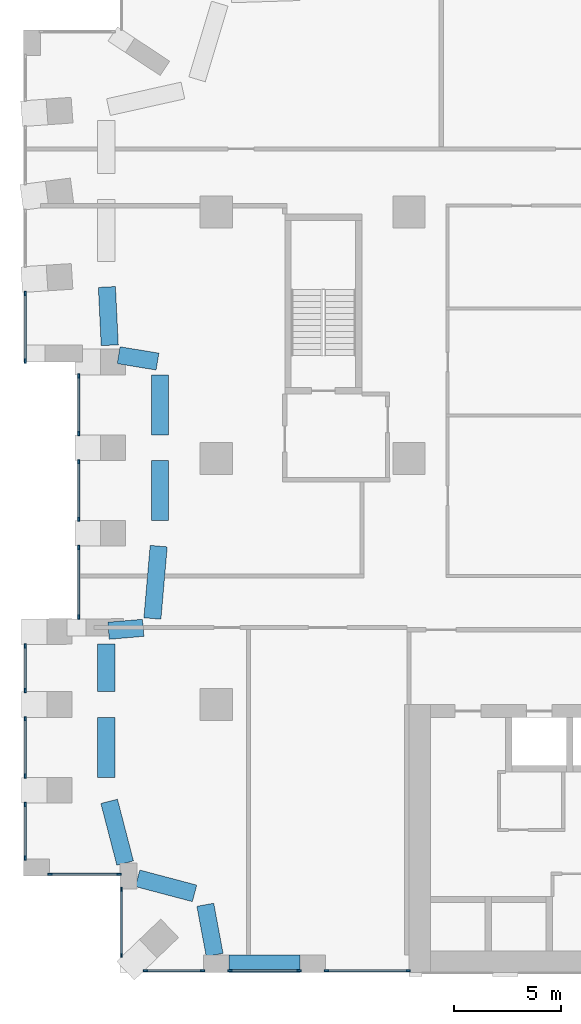
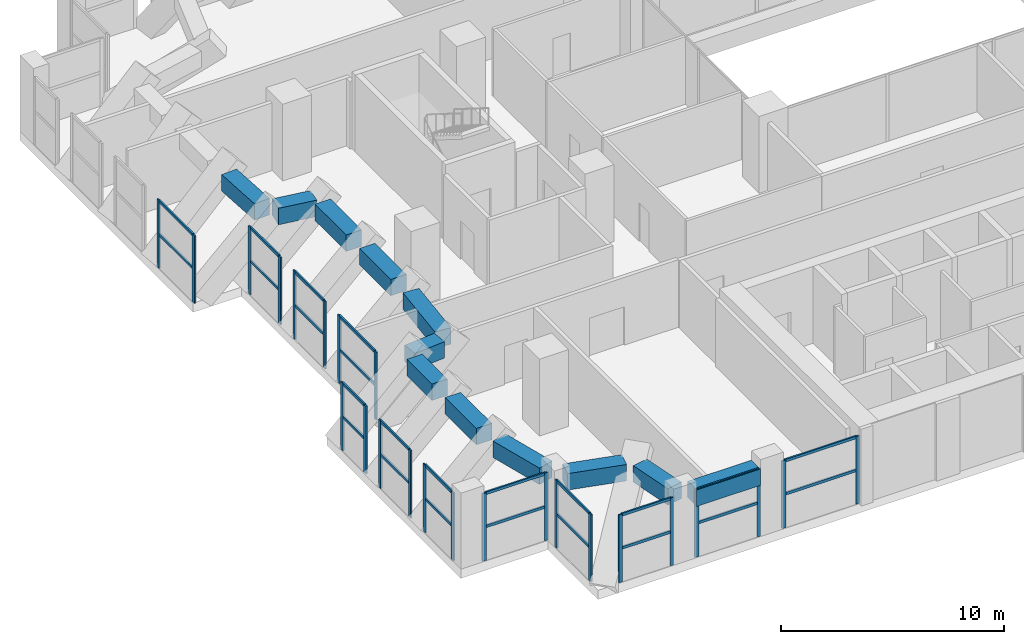
# One storey, part 2 of 20: 48 members, 12 beams, 12 elements without a shape of their own.
"""IFC4 building model written with IfcOpenShell, lengths in metres."""

from ifc_helpers import new_model, si_unit, direction, frame, origin, origin_2d, place, context, subcontext, project, spatial, rectangle, extrude, material, layer, layer_set, material_profile, profile_set, type_object, element, aggregate, save


model = new_model("IFC4")

# Units and contexts
model_context = context("Model", 3, precision=1e-05, world=origin(), true_north=direction((0.0, 1.0)))
body_context = subcontext(model_context, "Body", "Model", "MODEL_VIEW")
ifc_project = project(units=[si_unit("LENGTHUNIT", "METRE"), si_unit("AREAUNIT", "SQUARE_METRE"), si_unit("VOLUMEUNIT", "CUBIC_METRE"), si_unit("PLANEANGLEUNIT", "RADIAN"), si_unit("MASSUNIT", "GRAM", prefix="KILO")], contexts=[model_context])

# Site, building, storey
site_placement = place(None, origin())
site = spatial("IfcSite", under=ifc_project, at=site_placement, CompositionType="ELEMENT")
building_placement = place(site_placement, origin())
building = spatial("IfcBuilding", under=site, at=building_placement, Name="Brigalow Station Residences", CompositionType="ELEMENT")
storey_placement = place(building_placement, frame((0.0, 0.0, 73.050048828125)))
storey = spatial("IfcBuildingStorey", under=building, at=storey_placement, Name="L21", CompositionType="ELEMENT", Elevation=73.050048828125)

# Beams
ifc_material_1 = material(Name="Concrete C65", Category="concrete")
ifc_material_profile_1 = material_profile(ifc_material_1, rectangle(XDim=0.800048828125, YDim=0.89990234375, at=origin_2d()), Name="RC800x900")
ifc_profile_set_1 = profile_set([ifc_material_profile_1], Name="Concrete C65")
beam_type = type_object("IfcBeamType", Name="KINK TIE BEAM 800x900 C65", PredefinedType="BEAM", material=ifc_profile_set_1)
beam_1_placement = place(storey_placement, frame((9.60009765625, 0.39990234375, 3.25), z_axis=(1.0, 0.0, 0.0), x_axis=(0.0, 1.0, 0.0)))
element("IfcBeam", 1, at=beam_1_placement, inside=storey, type_object=beam_type, Name="KINK TIE BEAM 1 L21", PredefinedType="BEAM", context=body_context, shape_type="SweptSolid", body=[
    extrude(rectangle(XDim=0.800048828125, YDim=0.89990234375, at=origin_2d()), origin(), (0.0, 0.0, 1.0), 3.2998046875),
])
beam_2_placement = place(storey_placement, frame((3.891845703125, 32.001708984375, 3.25), z_axis=(0.048484857737, -0.9988239177, 0.0), x_axis=(0.9988239177, 0.048484857737, 0.0)))
element("IfcBeam", 2, at=beam_2_placement, inside=storey, type_object=beam_type, Name="KINK TIE BEAM 38 L21", PredefinedType="BEAM", context=body_context, shape_type="SweptSolid", body=[
    extrude(rectangle(XDim=0.800048828125, YDim=0.89990234375, at=origin_2d()), origin(), (0.0, 0.0, 1.0), 2.72412109375),
])
beam_3_placement = place(storey_placement, frame((4.4404296875, 28.8154296875, 3.25), z_axis=(0.986800184125, -0.161942571951, 0.0), x_axis=(0.161942571951, 0.986800184125, 0.0)))
element("IfcBeam", 3, at=beam_3_placement, inside=storey, type_object=beam_type, Name="KINK TIE BEAM 39 L21", PredefinedType="BEAM", context=body_context, shape_type="SweptSolid", body=[
    extrude(rectangle(XDim=0.800048828125, YDim=0.89990234375, at=origin_2d()), origin(), (0.0, 0.0, 1.0), 1.837646484375),
])
for number, where, z_axis, x_axis, name in (
    (4, (6.36279296875, 27.89990234375, 3.25), (0.0, -1.0, 0.0), (1.0, 0.0, 0.0), "KINK TIE BEAM 40 L21"),
    (5, (6.36279296875, 23.89990234375, 3.25), (0.0, -1.0, 0.0), (1.0, 0.0, 0.0), "KINK TIE BEAM 41 L21"),
):
    element("IfcBeam", number, at=place(storey_placement, frame(where, z_axis=z_axis, x_axis=x_axis)), inside=storey, type_object=beam_type, Name=name, PredefinedType="BEAM", context=body_context, shape_type="SweptSolid", body=[
        extrude(rectangle(XDim=0.800048828125, YDim=0.89990234375, at=origin_2d()), origin(), (0.0, 0.0, 1.0), 2.7998046875),
    ])
beam_4_placement = place(storey_placement, frame((6.310791015625, 19.89990234375, 3.25), z_axis=(-0.086629616365, -0.996240588196, 0.0), x_axis=(0.996240588196, -0.086629616365, 0.0)))
element("IfcBeam", 6, at=beam_4_placement, inside=storey, type_object=beam_type, Name="KINK TIE BEAM 42 L21", PredefinedType="BEAM", context=body_context, shape_type="SweptSolid", body=[
    extrude(rectangle(XDim=0.800048828125, YDim=0.89990234375, at=origin_2d()), origin(), (0.0, 0.0, 1.0), 3.39306640625),
])
beam_5_placement = place(storey_placement, frame((5.585205078125, 16.08544921875, 3.25), z_axis=(-0.996383121126, -0.084974560519, 0.0), x_axis=(0.084974560519, -0.996383121126, 0.0)))
element("IfcBeam", 7, at=beam_5_placement, inside=storey, type_object=beam_type, Name="KINK TIE BEAM 43 L21", PredefinedType="BEAM", context=body_context, shape_type="SweptSolid", body=[
    extrude(rectangle(XDim=0.800048828125, YDim=0.89990234375, at=origin_2d()), origin(), (0.0, 0.0, 1.0), 1.623291015625),
])
beam_6_placement = place(storey_placement, frame((3.86279296875, 15.338623046875, 3.25), z_axis=(0.0, -1.0, 0.0), x_axis=(1.0, 0.0, 0.0)))
element("IfcBeam", 8, at=beam_6_placement, inside=storey, type_object=beam_type, Name="KINK TIE BEAM 44 L21", PredefinedType="BEAM", context=body_context, shape_type="SweptSolid", body=[
    extrude(rectangle(XDim=0.800048828125, YDim=0.89990234375, at=origin_2d()), origin(), (0.0, 0.0, 1.0), 2.238525390625),
])
beam_7_placement = place(storey_placement, frame((3.86279296875, 11.89990234375, 3.25), z_axis=(0.0, -1.0, 0.0), x_axis=(1.0, 0.0, 0.0)))
element("IfcBeam", 9, at=beam_7_placement, inside=storey, type_object=beam_type, Name="KINK TIE BEAM 45 L21", PredefinedType="BEAM", context=body_context, shape_type="SweptSolid", body=[
    extrude(rectangle(XDim=0.800048828125, YDim=0.89990234375, at=origin_2d()), origin(), (0.0, 0.0, 1.0), 2.7998046875),
])
beam_8_placement = place(storey_placement, frame((3.9970703125, 7.982421875, 3.25), z_axis=(0.250976386096, -0.967993209492, 0.0), x_axis=(0.967993209492, 0.250976386096, 0.0)))
element("IfcBeam", 10, at=beam_8_placement, inside=storey, type_object=beam_type, Name="KINK TIE BEAM 46 L21", PredefinedType="BEAM", context=body_context, shape_type="SweptSolid", body=[
    extrude(rectangle(XDim=0.800048828125, YDim=0.89990234375, at=origin_2d()), origin(), (0.0, 0.0, 1.0), 2.9775390625),
])
beam_9_placement = place(storey_placement, frame((5.3271484375, 4.38720703125, 3.25), z_axis=(0.966767868702, -0.255655799944, 0.0), x_axis=(0.255655799944, 0.966767868702, 0.0)))
element("IfcBeam", 11, at=beam_9_placement, inside=storey, type_object=beam_type, Name="KINK TIE BEAM 47 L21", PredefinedType="BEAM", context=body_context, shape_type="SweptSolid", body=[
    extrude(rectangle(XDim=0.800048828125, YDim=0.89990234375, at=origin_2d()), origin(), (0.0, 0.0, 1.0), 2.749267578125),
])
beam_10_placement = place(storey_placement, frame((8.486572265625, 3.152099609375, 3.25), z_axis=(0.183361244705, -0.98304560115, 0.0), x_axis=(0.98304560115, 0.183361244705, 0.0)))
element("IfcBeam", 12, at=beam_10_placement, inside=storey, type_object=beam_type, Name="KINK TIE BEAM 48 L21", PredefinedType="BEAM", context=body_context, shape_type="SweptSolid", body=[
    extrude(rectangle(XDim=0.800048828125, YDim=0.89990234375, at=origin_2d()), origin(), (0.0, 0.0, 1.0), 2.384765625),
])

# Curtain wall, members
ifc_material_2 = material(Name="Aluminium", Category="aluminium")
ifc_layer = layer(ifc_material_2, 0.199951171875)
ifc_layer_set = layer_set([ifc_layer], Name="REFUGE FLOOR LOUVRE CURTAIN WALL")
curtain_wall_type = type_object("IfcCurtainWallType", Name="REFUGE FLOOR LOUVRE CURTAIN WALL", PredefinedType="NOTDEFINED", material=ifc_layer_set)
curtain_wall_1_placement = place(storey_placement, origin())
curtain_wall_1 = element("IfcCurtainWall", 13, at=curtain_wall_1_placement, inside=storey, type_object=curtain_wall_type, Name="L21/cw/louvre-W-L21-1-1", PredefinedType="NOTDEFINED")
ifc_material_3 = material(Name="Aluminium", Category="aluminium")
ifc_material_profile_2 = material_profile(ifc_material_3, rectangle(XDim=0.080078125, YDim=0.199951171875, at=origin_2d()), Name="REFUGE FLOOR LOUVRE MULLION 80x200")
ifc_profile_set_2 = profile_set([ifc_material_profile_2], Name="Aluminium")
member_type_1 = type_object("IfcMemberType", Name="REFUGE FLOOR LOUVRE MULLION 80x200", PredefinedType="MULLION", material=ifc_profile_set_2)
member_1_placement = place(storey_placement, frame((5.69677734375, 0.074951171875, 0.0), z_axis=(0.0, 0.0, 1.0), x_axis=(0.0, 1.0, 0.0)))
member_1 = element("IfcMember", 14, at=member_1_placement, type_object=member_type_1, Name="L21/cw/louvre-W-L21-1-1/M00", PredefinedType="MULLION", context=body_context, shape_type="SweptSolid", body=[
    extrude(rectangle(XDim=0.080078125, YDim=0.199951171875, at=origin_2d()), origin(), (0.0, 0.0, 1.0), 3.699951171875),
])
member_2_placement = place(storey_placement, frame((8.360107421875, 0.074951171875, 0.0), z_axis=(0.0, 0.0, 1.0), x_axis=(0.0, 1.0, 0.0)))
member_2 = element("IfcMember", 15, at=member_2_placement, type_object=member_type_1, Name="L21/cw/louvre-W-L21-1-1/M01", PredefinedType="MULLION", context=body_context, shape_type="SweptSolid", body=[
    extrude(rectangle(XDim=0.080078125, YDim=0.199951171875, at=origin_2d()), origin(), (0.0, 0.0, 1.0), 3.699951171875),
])

curtain_wall_2_placement = place(storey_placement, origin())
curtain_wall_2 = element("IfcCurtainWall", 16, at=curtain_wall_2_placement, inside=storey, type_object=curtain_wall_type, Name="L21/cw/louvre-W-L21-1-2", PredefinedType="NOTDEFINED")
member_3_placement = place(storey_placement, frame((9.639892578125, 0.074951171875, 0.0), z_axis=(0.0, 0.0, 1.0), x_axis=(0.0, 1.0, 0.0)))
member_3 = element("IfcMember", 17, at=member_3_placement, type_object=member_type_1, Name="L21/cw/louvre-W-L21-1-2/M00", PredefinedType="MULLION", context=body_context, shape_type="SweptSolid", body=[
    extrude(rectangle(XDim=0.080078125, YDim=0.199951171875, at=origin_2d()), origin(), (0.0, 0.0, 1.0), 3.699951171875),
])
member_4_placement = place(storey_placement, frame((12.860107421875, 0.074951171875, 0.0), z_axis=(0.0, 0.0, 1.0), x_axis=(0.0, 1.0, 0.0)))
member_4 = element("IfcMember", 18, at=member_4_placement, type_object=member_type_1, Name="L21/cw/louvre-W-L21-1-2/M01", PredefinedType="MULLION", context=body_context, shape_type="SweptSolid", body=[
    extrude(rectangle(XDim=0.080078125, YDim=0.199951171875, at=origin_2d()), origin(), (0.0, 0.0, 1.0), 3.699951171875),
])

curtain_wall_3_placement = place(storey_placement, origin())
curtain_wall_3 = element("IfcCurtainWall", 19, at=curtain_wall_3_placement, inside=storey, type_object=curtain_wall_type, Name="L21/cw/louvre-W-L21-1-3", PredefinedType="NOTDEFINED")
member_5_placement = place(storey_placement, frame((14.139892578125, 0.074951171875, 0.0), z_axis=(0.0, 0.0, 1.0), x_axis=(0.0, 1.0, 0.0)))
member_5 = element("IfcMember", 20, at=member_5_placement, type_object=member_type_1, Name="L21/cw/louvre-W-L21-1-3/M00", PredefinedType="MULLION", context=body_context, shape_type="SweptSolid", body=[
    extrude(rectangle(XDim=0.080078125, YDim=0.199951171875, at=origin_2d()), origin(), (0.0, 0.0, 1.0), 3.699951171875),
])
member_6_placement = place(storey_placement, frame((17.9599609375, 0.074951171875, 0.0), z_axis=(0.0, 0.0, 1.0), x_axis=(0.0, 1.0, 0.0)))
member_6 = element("IfcMember", 21, at=member_6_placement, type_object=member_type_1, Name="L21/cw/louvre-W-L21-1-3/M01", PredefinedType="MULLION", context=body_context, shape_type="SweptSolid", body=[
    extrude(rectangle(XDim=0.080078125, YDim=0.199951171875, at=origin_2d()), origin(), (0.0, 0.0, 1.0), 3.699951171875),
])

curtain_wall_4_placement = place(storey_placement, origin())
curtain_wall_4 = element("IfcCurtainWall", 22, at=curtain_wall_4_placement, inside=storey, type_object=curtain_wall_type, Name="L21/cw/louvre-W-L21-42-43", PredefinedType="NOTDEFINED")
member_7_placement = place(storey_placement, frame((0.074951171875, 31.6923828125, 0.0), z_axis=(0.0, 0.0, 1.0), x_axis=(1.0, 0.0, 0.0)))
member_7 = element("IfcMember", 23, at=member_7_placement, type_object=member_type_1, Name="L21/cw/louvre-W-L21-42-43/M00", PredefinedType="MULLION", context=body_context, shape_type="SweptSolid", body=[
    extrude(rectangle(XDim=0.080078125, YDim=0.199951171875, at=origin_2d()), origin(), (0.0, 0.0, 1.0), 3.699951171875),
])
member_8_placement = place(storey_placement, frame((0.074951171875, 28.5400390625, 0.0), z_axis=(0.0, 0.0, 1.0), x_axis=(1.0, 0.0, 0.0)))
member_8 = element("IfcMember", 24, at=member_8_placement, type_object=member_type_1, Name="L21/cw/louvre-W-L21-42-43/M01", PredefinedType="MULLION", context=body_context, shape_type="SweptSolid", body=[
    extrude(rectangle(XDim=0.080078125, YDim=0.199951171875, at=origin_2d()), origin(), (0.0, 0.0, 1.0), 3.699951171875),
])

curtain_wall_5_placement = place(storey_placement, origin())
curtain_wall_5 = element("IfcCurtainWall", 25, at=curtain_wall_5_placement, inside=storey, type_object=curtain_wall_type, Name="L21/cw/louvre-W-L21-47-44", PredefinedType="NOTDEFINED")
member_9_placement = place(storey_placement, frame((2.574951171875, 27.840087890625, 0.0), z_axis=(0.0, 0.0, 1.0), x_axis=(1.0, 0.0, 0.0)))
member_9 = element("IfcMember", 26, at=member_9_placement, type_object=member_type_1, Name="L21/cw/louvre-W-L21-47-44/M00", PredefinedType="MULLION", context=body_context, shape_type="SweptSolid", body=[
    extrude(rectangle(XDim=0.080078125, YDim=0.199951171875, at=origin_2d()), origin(), (0.0, 0.0, 1.0), 3.699951171875),
])
member_10_placement = place(storey_placement, frame((2.574951171875, 25.159912109375, 0.0), z_axis=(0.0, 0.0, 1.0), x_axis=(1.0, 0.0, 0.0)))
member_10 = element("IfcMember", 27, at=member_10_placement, type_object=member_type_1, Name="L21/cw/louvre-W-L21-47-44/M01", PredefinedType="MULLION", context=body_context, shape_type="SweptSolid", body=[
    extrude(rectangle(XDim=0.080078125, YDim=0.199951171875, at=origin_2d()), origin(), (0.0, 0.0, 1.0), 3.699951171875),
])

curtain_wall_6_placement = place(storey_placement, origin())
curtain_wall_6 = element("IfcCurtainWall", 28, at=curtain_wall_6_placement, inside=storey, type_object=curtain_wall_type, Name="L21/cw/louvre-W-L21-47-45", PredefinedType="NOTDEFINED")
member_11_placement = place(storey_placement, frame((2.574951171875, 23.840087890625, 0.0), z_axis=(0.0, 0.0, 1.0), x_axis=(1.0, 0.0, 0.0)))
member_11 = element("IfcMember", 29, at=member_11_placement, type_object=member_type_1, Name="L21/cw/louvre-W-L21-47-45/M00", PredefinedType="MULLION", context=body_context, shape_type="SweptSolid", body=[
    extrude(rectangle(XDim=0.080078125, YDim=0.199951171875, at=origin_2d()), origin(), (0.0, 0.0, 1.0), 3.699951171875),
])
member_12_placement = place(storey_placement, frame((2.574951171875, 21.159912109375, 0.0), z_axis=(0.0, 0.0, 1.0), x_axis=(1.0, 0.0, 0.0)))
member_12 = element("IfcMember", 30, at=member_12_placement, type_object=member_type_1, Name="L21/cw/louvre-W-L21-47-45/M01", PredefinedType="MULLION", context=body_context, shape_type="SweptSolid", body=[
    extrude(rectangle(XDim=0.080078125, YDim=0.199951171875, at=origin_2d()), origin(), (0.0, 0.0, 1.0), 3.699951171875),
])

curtain_wall_7_placement = place(storey_placement, origin())
curtain_wall_7 = element("IfcCurtainWall", 31, at=curtain_wall_7_placement, inside=storey, type_object=curtain_wall_type, Name="L21/cw/louvre-W-L21-47-46", PredefinedType="NOTDEFINED")
member_13_placement = place(storey_placement, frame((2.574951171875, 19.840087890625, 0.0), z_axis=(0.0, 0.0, 1.0), x_axis=(1.0, 0.0, 0.0)))
member_13 = element("IfcMember", 32, at=member_13_placement, type_object=member_type_1, Name="L21/cw/louvre-W-L21-47-46/M00", PredefinedType="MULLION", context=body_context, shape_type="SweptSolid", body=[
    extrude(rectangle(XDim=0.080078125, YDim=0.199951171875, at=origin_2d()), origin(), (0.0, 0.0, 1.0), 3.699951171875),
])
member_14_placement = place(storey_placement, frame((2.574951171875, 16.584228515625, 0.0), z_axis=(0.0, 0.0, 1.0), x_axis=(1.0, 0.0, 0.0)))
member_14 = element("IfcMember", 33, at=member_14_placement, type_object=member_type_1, Name="L21/cw/louvre-W-L21-47-46/M01", PredefinedType="MULLION", context=body_context, shape_type="SweptSolid", body=[
    extrude(rectangle(XDim=0.080078125, YDim=0.199951171875, at=origin_2d()), origin(), (0.0, 0.0, 1.0), 3.699951171875),
])

curtain_wall_8_placement = place(storey_placement, origin())
curtain_wall_8 = element("IfcCurtainWall", 34, at=curtain_wall_8_placement, inside=storey, type_object=curtain_wall_type, Name="L21/cw/louvre-W-L21-51-47", PredefinedType="NOTDEFINED")
member_15_placement = place(storey_placement, frame((0.074951171875, 15.236328125, 0.0), z_axis=(0.0, 0.0, 1.0), x_axis=(1.0, 0.0, 0.0)))
member_15 = element("IfcMember", 35, at=member_15_placement, type_object=member_type_1, Name="L21/cw/louvre-W-L21-51-47/M00", PredefinedType="MULLION", context=body_context, shape_type="SweptSolid", body=[
    extrude(rectangle(XDim=0.080078125, YDim=0.199951171875, at=origin_2d()), origin(), (0.0, 0.0, 1.0), 3.699951171875),
])
member_16_placement = place(storey_placement, frame((0.074951171875, 13.159912109375, 0.0), z_axis=(0.0, 0.0, 1.0), x_axis=(1.0, 0.0, 0.0)))
member_16 = element("IfcMember", 36, at=member_16_placement, type_object=member_type_1, Name="L21/cw/louvre-W-L21-51-47/M01", PredefinedType="MULLION", context=body_context, shape_type="SweptSolid", body=[
    extrude(rectangle(XDim=0.080078125, YDim=0.199951171875, at=origin_2d()), origin(), (0.0, 0.0, 1.0), 3.699951171875),
])

curtain_wall_9_placement = place(storey_placement, origin())
curtain_wall_9 = element("IfcCurtainWall", 37, at=curtain_wall_9_placement, inside=storey, type_object=curtain_wall_type, Name="L21/cw/louvre-W-L21-51-48", PredefinedType="NOTDEFINED")
member_17_placement = place(storey_placement, frame((0.074951171875, 11.840087890625, 0.0), z_axis=(0.0, 0.0, 1.0), x_axis=(1.0, 0.0, 0.0)))
member_17 = element("IfcMember", 38, at=member_17_placement, type_object=member_type_1, Name="L21/cw/louvre-W-L21-51-48/M00", PredefinedType="MULLION", context=body_context, shape_type="SweptSolid", body=[
    extrude(rectangle(XDim=0.080078125, YDim=0.199951171875, at=origin_2d()), origin(), (0.0, 0.0, 1.0), 3.699951171875),
])
member_18_placement = place(storey_placement, frame((0.074951171875, 9.159912109375, 0.0), z_axis=(0.0, 0.0, 1.0), x_axis=(1.0, 0.0, 0.0)))
member_18 = element("IfcMember", 39, at=member_18_placement, type_object=member_type_1, Name="L21/cw/louvre-W-L21-51-48/M01", PredefinedType="MULLION", context=body_context, shape_type="SweptSolid", body=[
    extrude(rectangle(XDim=0.080078125, YDim=0.199951171875, at=origin_2d()), origin(), (0.0, 0.0, 1.0), 3.699951171875),
])

curtain_wall_10_placement = place(storey_placement, origin())
curtain_wall_10 = element("IfcCurtainWall", 40, at=curtain_wall_10_placement, inside=storey, type_object=curtain_wall_type, Name="L21/cw/louvre-W-L21-51-49", PredefinedType="NOTDEFINED")
member_19_placement = place(storey_placement, frame((0.074951171875, 7.840087890625, 0.0), z_axis=(0.0, 0.0, 1.0), x_axis=(1.0, 0.0, 0.0)))
member_19 = element("IfcMember", 41, at=member_19_placement, type_object=member_type_1, Name="L21/cw/louvre-W-L21-51-49/M00", PredefinedType="MULLION", context=body_context, shape_type="SweptSolid", body=[
    extrude(rectangle(XDim=0.080078125, YDim=0.199951171875, at=origin_2d()), origin(), (0.0, 0.0, 1.0), 3.699951171875),
])
member_20_placement = place(storey_placement, frame((0.074951171875, 5.340087890625, 0.0), z_axis=(0.0, 0.0, 1.0), x_axis=(1.0, 0.0, 0.0)))
member_20 = element("IfcMember", 42, at=member_20_placement, type_object=member_type_1, Name="L21/cw/louvre-W-L21-51-49/M01", PredefinedType="MULLION", context=body_context, shape_type="SweptSolid", body=[
    extrude(rectangle(XDim=0.080078125, YDim=0.199951171875, at=origin_2d()), origin(), (0.0, 0.0, 1.0), 3.699951171875),
])

curtain_wall_11_placement = place(storey_placement, origin())
curtain_wall_11 = element("IfcCurtainWall", 43, at=curtain_wall_11_placement, inside=storey, type_object=curtain_wall_type, Name="L21/cw/louvre-W-L21-54-50", PredefinedType="NOTDEFINED")
member_21_placement = place(storey_placement, frame((1.239990234375, 4.574951171875, 0.0), z_axis=(0.0, 0.0, 1.0), x_axis=(0.0, 1.0, 0.0)))
member_21 = element("IfcMember", 44, at=member_21_placement, type_object=member_type_1, Name="L21/cw/louvre-W-L21-54-50/M00", PredefinedType="MULLION", context=body_context, shape_type="SweptSolid", body=[
    extrude(rectangle(XDim=0.080078125, YDim=0.199951171875, at=origin_2d()), origin(), (0.0, 0.0, 1.0), 3.699951171875),
])
member_22_placement = place(storey_placement, frame((4.4599609375, 4.574951171875, 0.0), z_axis=(0.0, 0.0, 1.0), x_axis=(0.0, 1.0, 0.0)))
member_22 = element("IfcMember", 45, at=member_22_placement, type_object=member_type_1, Name="L21/cw/louvre-W-L21-54-50/M01", PredefinedType="MULLION", context=body_context, shape_type="SweptSolid", body=[
    extrude(rectangle(XDim=0.080078125, YDim=0.199951171875, at=origin_2d()), origin(), (0.0, 0.0, 1.0), 3.699951171875),
])

curtain_wall_12_placement = place(storey_placement, origin())
curtain_wall_12 = element("IfcCurtainWall", 46, at=curtain_wall_12_placement, inside=storey, type_object=curtain_wall_type, Name="L21/cw/louvre-W-L21-55-51", PredefinedType="NOTDEFINED")
member_23_placement = place(storey_placement, frame((4.574951171875, 3.860107421875, 0.0), z_axis=(0.0, 0.0, 1.0), x_axis=(1.0, 0.0, 0.0)))
member_23 = element("IfcMember", 47, at=member_23_placement, type_object=member_type_1, Name="L21/cw/louvre-W-L21-55-51/M00", PredefinedType="MULLION", context=body_context, shape_type="SweptSolid", body=[
    extrude(rectangle(XDim=0.080078125, YDim=0.199951171875, at=origin_2d()), origin(), (0.0, 0.0, 1.0), 3.699951171875),
])
member_24_placement = place(storey_placement, frame((4.574951171875, 0.795654296875, 0.0), z_axis=(0.0, 0.0, 1.0), x_axis=(1.0, 0.0, 0.0)))
member_24 = element("IfcMember", 48, at=member_24_placement, type_object=member_type_1, Name="L21/cw/louvre-W-L21-55-51/M01", PredefinedType="MULLION", context=body_context, shape_type="SweptSolid", body=[
    extrude(rectangle(XDim=0.080078125, YDim=0.199951171875, at=origin_2d()), origin(), (0.0, 0.0, 1.0), 3.699951171875),
])

# Member
ifc_material_4 = material(Name="Aluminium", Category="aluminium")
ifc_material_profile_3 = material_profile(ifc_material_4, rectangle(XDim=0.080078125, YDim=0.14990234375, at=origin_2d()), Name="REFUGE FLOOR LOUVRE TRANSOM 80x150")
ifc_profile_set_3 = profile_set([ifc_material_profile_3], Name="Aluminium")
member_type_2 = type_object("IfcMemberType", Name="REFUGE FLOOR LOUVRE TRANSOM 80x150", PredefinedType="USERDEFINED", material=ifc_profile_set_3)
member_25_placement = place(storey_placement, frame((5.73681640625, 0.074951171875, 1.849853515625), z_axis=(1.0, 0.0, 0.0), x_axis=(0.0, 1.0, 0.0)))
member_25 = element("IfcMember", 49, at=member_25_placement, type_object=member_type_2, Name="L21/cw/louvre-W-L21-1-1/T00-00", ObjectType="TRANSOM", PredefinedType="USERDEFINED", context=body_context, shape_type="SweptSolid", body=[
    extrude(rectangle(XDim=0.080078125, YDim=0.14990234375, at=origin_2d()), origin(), (0.0, 0.0, 1.0), 2.583251953125),
])

member_26_placement = place(storey_placement, frame((5.73681640625, 0.074951171875, 3.659912109375), z_axis=(1.0, 0.0, 0.0), x_axis=(0.0, 1.0, 0.0)))
member_26 = element("IfcMember", 50, at=member_26_placement, type_object=member_type_2, Name="L21/cw/louvre-W-L21-1-1/T00-01", ObjectType="TRANSOM", PredefinedType="USERDEFINED", context=body_context, shape_type="SweptSolid", body=[
    extrude(rectangle(XDim=0.080078125, YDim=0.14990234375, at=origin_2d()), origin(), (0.0, 0.0, 1.0), 2.583251953125),
])

aggregate(curtain_wall_1, [member_1, member_2, member_25, member_26])

member_27_placement = place(storey_placement, frame((9.679931640625, 0.074951171875, 1.849853515625), z_axis=(1.0, 0.0, 0.0), x_axis=(0.0, 1.0, 0.0)))
member_27 = element("IfcMember", 51, at=member_27_placement, type_object=member_type_2, Name="L21/cw/louvre-W-L21-1-2/T00-00", ObjectType="TRANSOM", PredefinedType="USERDEFINED", context=body_context, shape_type="SweptSolid", body=[
    extrude(rectangle(XDim=0.080078125, YDim=0.14990234375, at=origin_2d()), origin(), (0.0, 0.0, 1.0), 3.14013671875),
])

member_28_placement = place(storey_placement, frame((9.679931640625, 0.074951171875, 3.659912109375), z_axis=(1.0, 0.0, 0.0), x_axis=(0.0, 1.0, 0.0)))
member_28 = element("IfcMember", 52, at=member_28_placement, type_object=member_type_2, Name="L21/cw/louvre-W-L21-1-2/T00-01", ObjectType="TRANSOM", PredefinedType="USERDEFINED", context=body_context, shape_type="SweptSolid", body=[
    extrude(rectangle(XDim=0.080078125, YDim=0.14990234375, at=origin_2d()), origin(), (0.0, 0.0, 1.0), 3.14013671875),
])

aggregate(curtain_wall_2, [member_3, member_4, member_27, member_28])

member_29_placement = place(storey_placement, frame((14.179931640625, 0.074951171875, 1.849853515625), z_axis=(1.0, 0.0, 0.0), x_axis=(0.0, 1.0, 0.0)))
member_29 = element("IfcMember", 53, at=member_29_placement, type_object=member_type_2, Name="L21/cw/louvre-W-L21-1-3/T00-00", ObjectType="TRANSOM", PredefinedType="USERDEFINED", context=body_context, shape_type="SweptSolid", body=[
    extrude(rectangle(XDim=0.080078125, YDim=0.14990234375, at=origin_2d()), origin(), (0.0, 0.0, 1.0), 3.739990234375),
])

member_30_placement = place(storey_placement, frame((14.179931640625, 0.074951171875, 3.659912109375), z_axis=(1.0, 0.0, 0.0), x_axis=(0.0, 1.0, 0.0)))
member_30 = element("IfcMember", 54, at=member_30_placement, type_object=member_type_2, Name="L21/cw/louvre-W-L21-1-3/T00-01", ObjectType="TRANSOM", PredefinedType="USERDEFINED", context=body_context, shape_type="SweptSolid", body=[
    extrude(rectangle(XDim=0.080078125, YDim=0.14990234375, at=origin_2d()), origin(), (0.0, 0.0, 1.0), 3.739990234375),
])

aggregate(curtain_wall_3, [member_5, member_6, member_29, member_30])

member_31_placement = place(storey_placement, frame((0.074951171875, 31.652587890625, 1.849853515625), z_axis=(0.0, -1.0, 0.0), x_axis=(1.0, 0.0, 0.0)))
member_31 = element("IfcMember", 55, at=member_31_placement, type_object=member_type_2, Name="L21/cw/louvre-W-L21-42-43/T00-00", ObjectType="TRANSOM", PredefinedType="USERDEFINED", context=body_context, shape_type="SweptSolid", body=[
    extrude(rectangle(XDim=0.080078125, YDim=0.14990234375, at=origin_2d()), origin(), (0.0, 0.0, 1.0), 3.072509765625),
])

member_32_placement = place(storey_placement, frame((0.074951171875, 31.652587890625, 3.659912109375), z_axis=(0.0, -1.0, 0.0), x_axis=(1.0, 0.0, 0.0)))
member_32 = element("IfcMember", 56, at=member_32_placement, type_object=member_type_2, Name="L21/cw/louvre-W-L21-42-43/T00-01", ObjectType="TRANSOM", PredefinedType="USERDEFINED", context=body_context, shape_type="SweptSolid", body=[
    extrude(rectangle(XDim=0.080078125, YDim=0.14990234375, at=origin_2d()), origin(), (0.0, 0.0, 1.0), 3.072509765625),
])

aggregate(curtain_wall_4, [member_7, member_8, member_31, member_32])

member_33_placement = place(storey_placement, frame((2.574951171875, 27.800048828125, 1.849853515625), z_axis=(0.0, -1.0, 0.0), x_axis=(1.0, 0.0, 0.0)))
member_33 = element("IfcMember", 57, at=member_33_placement, type_object=member_type_2, Name="L21/cw/louvre-W-L21-47-44/T00-00", ObjectType="TRANSOM", PredefinedType="USERDEFINED", context=body_context, shape_type="SweptSolid", body=[
    extrude(rectangle(XDim=0.080078125, YDim=0.14990234375, at=origin_2d()), origin(), (0.0, 0.0, 1.0), 2.60009765625),
])

member_34_placement = place(storey_placement, frame((2.574951171875, 27.800048828125, 3.659912109375), z_axis=(0.0, -1.0, 0.0), x_axis=(1.0, 0.0, 0.0)))
member_34 = element("IfcMember", 58, at=member_34_placement, type_object=member_type_2, Name="L21/cw/louvre-W-L21-47-44/T00-01", ObjectType="TRANSOM", PredefinedType="USERDEFINED", context=body_context, shape_type="SweptSolid", body=[
    extrude(rectangle(XDim=0.080078125, YDim=0.14990234375, at=origin_2d()), origin(), (0.0, 0.0, 1.0), 2.60009765625),
])

aggregate(curtain_wall_5, [member_9, member_10, member_33, member_34])

member_35_placement = place(storey_placement, frame((2.574951171875, 23.800048828125, 1.849853515625), z_axis=(0.0, -1.0, 0.0), x_axis=(1.0, 0.0, 0.0)))
member_35 = element("IfcMember", 59, at=member_35_placement, type_object=member_type_2, Name="L21/cw/louvre-W-L21-47-45/T00-00", ObjectType="TRANSOM", PredefinedType="USERDEFINED", context=body_context, shape_type="SweptSolid", body=[
    extrude(rectangle(XDim=0.080078125, YDim=0.14990234375, at=origin_2d()), origin(), (0.0, 0.0, 1.0), 2.60009765625),
])

member_36_placement = place(storey_placement, frame((2.574951171875, 23.800048828125, 3.659912109375), z_axis=(0.0, -1.0, 0.0), x_axis=(1.0, 0.0, 0.0)))
member_36 = element("IfcMember", 60, at=member_36_placement, type_object=member_type_2, Name="L21/cw/louvre-W-L21-47-45/T00-01", ObjectType="TRANSOM", PredefinedType="USERDEFINED", context=body_context, shape_type="SweptSolid", body=[
    extrude(rectangle(XDim=0.080078125, YDim=0.14990234375, at=origin_2d()), origin(), (0.0, 0.0, 1.0), 2.60009765625),
])

aggregate(curtain_wall_6, [member_11, member_12, member_35, member_36])

member_37_placement = place(storey_placement, frame((2.574951171875, 19.800048828125, 1.849853515625), z_axis=(0.0, -1.0, 0.0), x_axis=(1.0, 0.0, 0.0)))
member_37 = element("IfcMember", 61, at=member_37_placement, type_object=member_type_2, Name="L21/cw/louvre-W-L21-47-46/T00-00", ObjectType="TRANSOM", PredefinedType="USERDEFINED", context=body_context, shape_type="SweptSolid", body=[
    extrude(rectangle(XDim=0.080078125, YDim=0.14990234375, at=origin_2d()), origin(), (0.0, 0.0, 1.0), 3.17578125),
])

member_38_placement = place(storey_placement, frame((2.574951171875, 19.800048828125, 3.659912109375), z_axis=(0.0, -1.0, 0.0), x_axis=(1.0, 0.0, 0.0)))
member_38 = element("IfcMember", 62, at=member_38_placement, type_object=member_type_2, Name="L21/cw/louvre-W-L21-47-46/T00-01", ObjectType="TRANSOM", PredefinedType="USERDEFINED", context=body_context, shape_type="SweptSolid", body=[
    extrude(rectangle(XDim=0.080078125, YDim=0.14990234375, at=origin_2d()), origin(), (0.0, 0.0, 1.0), 3.17578125),
])

aggregate(curtain_wall_7, [member_13, member_14, member_37, member_38])

member_39_placement = place(storey_placement, frame((0.074951171875, 15.1962890625, 1.849853515625), z_axis=(0.0, -1.0, 0.0), x_axis=(1.0, 0.0, 0.0)))
member_39 = element("IfcMember", 63, at=member_39_placement, type_object=member_type_2, Name="L21/cw/louvre-W-L21-51-47/T00-00", ObjectType="TRANSOM", PredefinedType="USERDEFINED", context=body_context, shape_type="SweptSolid", body=[
    extrude(rectangle(XDim=0.080078125, YDim=0.14990234375, at=origin_2d()), origin(), (0.0, 0.0, 1.0), 1.996337890625),
])

member_40_placement = place(storey_placement, frame((0.074951171875, 15.1962890625, 3.659912109375), z_axis=(0.0, -1.0, 0.0), x_axis=(1.0, 0.0, 0.0)))
member_40 = element("IfcMember", 64, at=member_40_placement, type_object=member_type_2, Name="L21/cw/louvre-W-L21-51-47/T00-01", ObjectType="TRANSOM", PredefinedType="USERDEFINED", context=body_context, shape_type="SweptSolid", body=[
    extrude(rectangle(XDim=0.080078125, YDim=0.14990234375, at=origin_2d()), origin(), (0.0, 0.0, 1.0), 1.996337890625),
])

aggregate(curtain_wall_8, [member_15, member_16, member_39, member_40])

member_41_placement = place(storey_placement, frame((0.074951171875, 11.800048828125, 1.849853515625), z_axis=(0.0, -1.0, 0.0), x_axis=(1.0, 0.0, 0.0)))
member_41 = element("IfcMember", 65, at=member_41_placement, type_object=member_type_2, Name="L21/cw/louvre-W-L21-51-48/T00-00", ObjectType="TRANSOM", PredefinedType="USERDEFINED", context=body_context, shape_type="SweptSolid", body=[
    extrude(rectangle(XDim=0.080078125, YDim=0.14990234375, at=origin_2d()), origin(), (0.0, 0.0, 1.0), 2.60009765625),
])

member_42_placement = place(storey_placement, frame((0.074951171875, 11.800048828125, 3.659912109375), z_axis=(0.0, -1.0, 0.0), x_axis=(1.0, 0.0, 0.0)))
member_42 = element("IfcMember", 66, at=member_42_placement, type_object=member_type_2, Name="L21/cw/louvre-W-L21-51-48/T00-01", ObjectType="TRANSOM", PredefinedType="USERDEFINED", context=body_context, shape_type="SweptSolid", body=[
    extrude(rectangle(XDim=0.080078125, YDim=0.14990234375, at=origin_2d()), origin(), (0.0, 0.0, 1.0), 2.60009765625),
])

aggregate(curtain_wall_9, [member_17, member_18, member_41, member_42])

member_43_placement = place(storey_placement, frame((0.074951171875, 7.800048828125, 1.849853515625), z_axis=(0.0, -1.0, 0.0), x_axis=(1.0, 0.0, 0.0)))
member_43 = element("IfcMember", 67, at=member_43_placement, type_object=member_type_2, Name="L21/cw/louvre-W-L21-51-49/T00-00", ObjectType="TRANSOM", PredefinedType="USERDEFINED", context=body_context, shape_type="SweptSolid", body=[
    extrude(rectangle(XDim=0.080078125, YDim=0.14990234375, at=origin_2d()), origin(), (0.0, 0.0, 1.0), 2.420166015625),
])

member_44_placement = place(storey_placement, frame((0.074951171875, 7.800048828125, 3.659912109375), z_axis=(0.0, -1.0, 0.0), x_axis=(1.0, 0.0, 0.0)))
member_44 = element("IfcMember", 68, at=member_44_placement, type_object=member_type_2, Name="L21/cw/louvre-W-L21-51-49/T00-01", ObjectType="TRANSOM", PredefinedType="USERDEFINED", context=body_context, shape_type="SweptSolid", body=[
    extrude(rectangle(XDim=0.080078125, YDim=0.14990234375, at=origin_2d()), origin(), (0.0, 0.0, 1.0), 2.420166015625),
])

aggregate(curtain_wall_10, [member_19, member_20, member_43, member_44])

member_45_placement = place(storey_placement, frame((1.280029296875, 4.574951171875, 1.849853515625), z_axis=(1.0, 0.0, 0.0), x_axis=(0.0, 1.0, 0.0)))
member_45 = element("IfcMember", 69, at=member_45_placement, type_object=member_type_2, Name="L21/cw/louvre-W-L21-54-50/T00-00", ObjectType="TRANSOM", PredefinedType="USERDEFINED", context=body_context, shape_type="SweptSolid", body=[
    extrude(rectangle(XDim=0.080078125, YDim=0.14990234375, at=origin_2d()), origin(), (0.0, 0.0, 1.0), 3.139892578125),
])

member_46_placement = place(storey_placement, frame((1.280029296875, 4.574951171875, 3.659912109375), z_axis=(1.0, 0.0, 0.0), x_axis=(0.0, 1.0, 0.0)))
member_46 = element("IfcMember", 70, at=member_46_placement, type_object=member_type_2, Name="L21/cw/louvre-W-L21-54-50/T00-01", ObjectType="TRANSOM", PredefinedType="USERDEFINED", context=body_context, shape_type="SweptSolid", body=[
    extrude(rectangle(XDim=0.080078125, YDim=0.14990234375, at=origin_2d()), origin(), (0.0, 0.0, 1.0), 3.139892578125),
])

aggregate(curtain_wall_11, [member_21, member_22, member_45, member_46])

member_47_placement = place(storey_placement, frame((4.574951171875, 3.820068359375, 1.849853515625), z_axis=(0.0, -1.0, 0.0), x_axis=(1.0, 0.0, 0.0)))
member_47 = element("IfcMember", 71, at=member_47_placement, type_object=member_type_2, Name="L21/cw/louvre-W-L21-55-51/T00-00", ObjectType="TRANSOM", PredefinedType="USERDEFINED", context=body_context, shape_type="SweptSolid", body=[
    extrude(rectangle(XDim=0.080078125, YDim=0.14990234375, at=origin_2d()), origin(), (0.0, 0.0, 1.0), 2.984375),
])

member_48_placement = place(storey_placement, frame((4.574951171875, 3.820068359375, 3.659912109375), z_axis=(0.0, -1.0, 0.0), x_axis=(1.0, 0.0, 0.0)))
member_48 = element("IfcMember", 72, at=member_48_placement, type_object=member_type_2, Name="L21/cw/louvre-W-L21-55-51/T00-01", ObjectType="TRANSOM", PredefinedType="USERDEFINED", context=body_context, shape_type="SweptSolid", body=[
    extrude(rectangle(XDim=0.080078125, YDim=0.14990234375, at=origin_2d()), origin(), (0.0, 0.0, 1.0), 2.984375),
])

aggregate(curtain_wall_12, [member_23, member_24, member_47, member_48])

save(model, "model.ifc")
